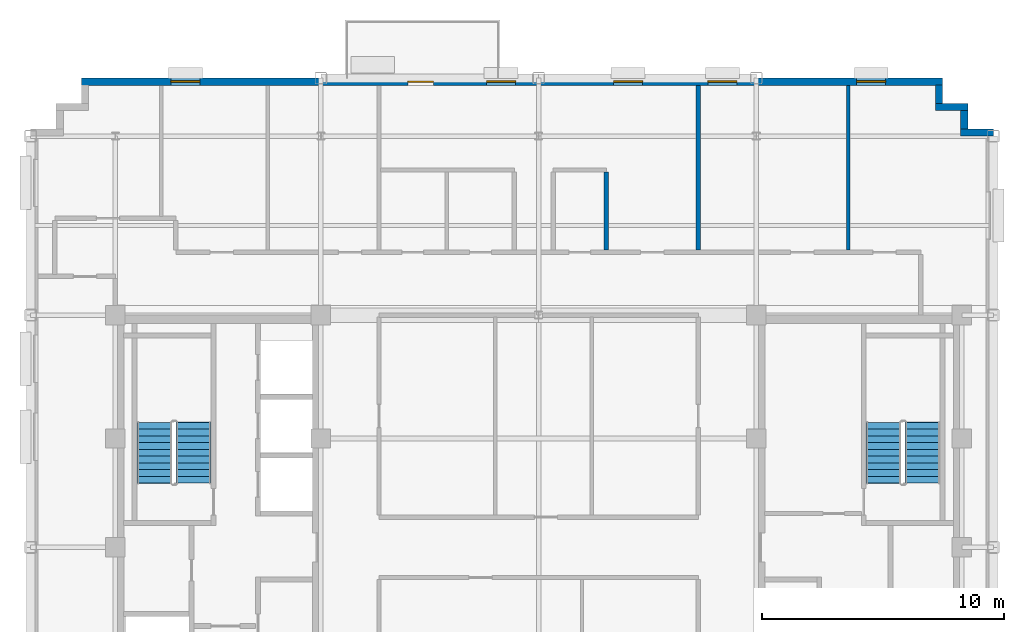
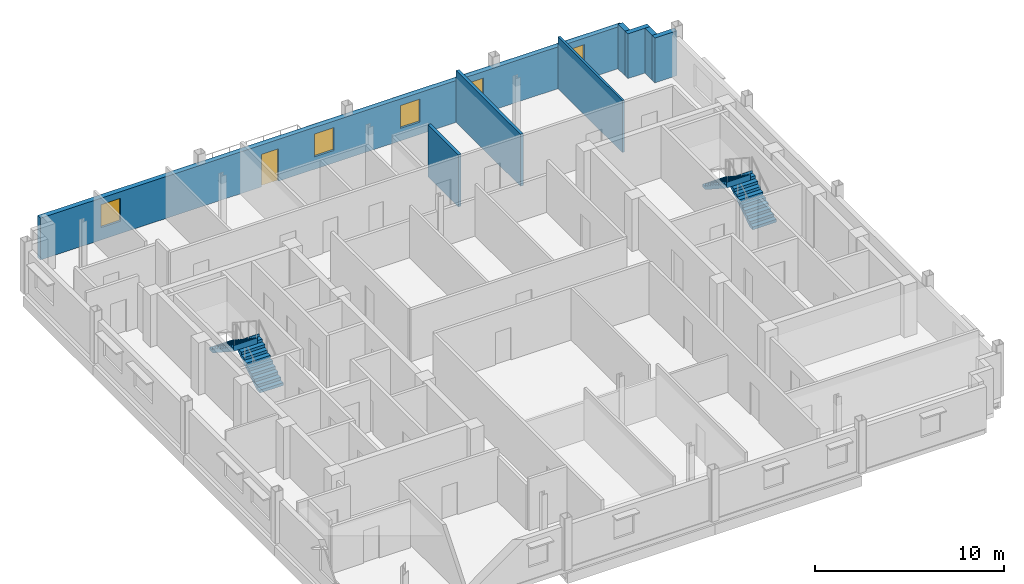
# One storey, part 9 of 14: 8 walls, 5 windows, 4 stair flights, 1 door, 6 openings, 2 elements without a shape of their own.
"""IFC4 building model written with IfcOpenShell, lengths in metres."""

from ifc_helpers import new_model, si_unit, direction, frame, frame_2d, origin, place, context, subcontext, project, spatial, polyline, rectangle, outline, extrude, source, transform, mapped, material, layer, layer_set, type_object, type_shapes, element, fill, aggregate, save


model = new_model("IFC4")

# Units and contexts
model_context = context("Model", 3, precision=1e-05, world=origin(), true_north=direction((0.0, 1.0)))
body_context = subcontext(model_context, "Body", "Model", "MODEL_VIEW")
ifc_project = project(units=[si_unit("LENGTHUNIT", "METRE"), si_unit("AREAUNIT", "SQUARE_METRE"), si_unit("VOLUMEUNIT", "CUBIC_METRE"), si_unit("PLANEANGLEUNIT", "RADIAN"), si_unit("MASSUNIT", "GRAM", prefix="KILO")], contexts=[model_context])

# Site, building, storey
site_placement = place(None, origin())
site = spatial("IfcSite", under=ifc_project, at=site_placement, CompositionType="ELEMENT")
building_placement = place(site_placement, origin())
building = spatial("IfcBuilding", under=site, at=building_placement, Name="Nuvemarco Arch Tower", CompositionType="ELEMENT")
storey_placement = place(building_placement, frame((0.0, 0.0, 268.89990234375)))
storey = spatial("IfcBuildingStorey", under=building, at=storey_placement, Name="L71", CompositionType="ELEMENT", Elevation=268.89990234375)

# Walls
ifc_material_1 = material(Name="Precast concrete C45/55", Category="concrete")
ifc_layer_1 = layer(ifc_material_1, 0.300048828125, Name="EW-HIGH-300")
ifc_layer_set_1 = layer_set([ifc_layer_1], Name="Precast concrete C45/55")
wall_type_1 = type_object("IfcWallType", Name="EW-HIGH-300", PredefinedType="STANDARD", material=ifc_layer_set_1)
wall_1_placement = place(storey_placement, frame((17.449951171875, 17.14990234375, 0.0), z_axis=(0.0, 0.0, 1.0), x_axis=(1.0, 0.0, 0.0)))
element("IfcWall", 1, at=wall_1_placement, inside=storey, type_object=wall_type_1, Name="L71 exterior precast facade wall 7", PredefinedType="STANDARD", context=body_context, shape_type="SweptSolid", body=[
    extrude(rectangle(XDim=1.35009765625, YDim=0.300048828125, at=frame_2d((0.675048828125, 0.0))), origin(), (0.0, 0.0, 1.0), 2.89208984375),
])
wall_2_placement = place(storey_placement, frame((17.60009765625, 17.2958984375, 0.0), z_axis=(0.0, 0.0, 1.0), x_axis=(0.0, 1.0, 0.0)))
element("IfcWall", 2, at=wall_2_placement, inside=storey, type_object=wall_type_1, Name="L71 exterior precast facade wall 8", PredefinedType="STANDARD", context=body_context, shape_type="SweptSolid", body=[
    extrude(rectangle(XDim=0.758056640625, YDim=0.300048828125, at=frame_2d((0.37890625, 0.0))), origin(), (0.0, 0.0, 1.0), 2.89208984375),
])
wall_3_placement = place(storey_placement, frame((16.39990234375, 18.199951171875, 0.0), z_axis=(0.0, 0.0, 1.0), x_axis=(1.0, 0.0, 0.0)))
element("IfcWall", 3, at=wall_3_placement, inside=storey, type_object=wall_type_1, Name="L71 exterior precast facade wall 9", PredefinedType="STANDARD", context=body_context, shape_type="SweptSolid", body=[
    extrude(rectangle(XDim=1.35009765625, YDim=0.300048828125, at=frame_2d((0.675048828125, 0.0))), origin(), (0.0, 0.0, 1.0), 2.89208984375),
])
wall_4_placement = place(storey_placement, frame((16.550048828125, 18.345947265625, 0.0), z_axis=(0.0, 0.0, 1.0), x_axis=(0.0, 1.0, 0.0)))
element("IfcWall", 4, at=wall_4_placement, inside=storey, type_object=wall_type_1, Name="L71 exterior precast facade wall 10", PredefinedType="STANDARD", context=body_context, shape_type="SweptSolid", body=[
    extrude(rectangle(XDim=0.758056640625, YDim=0.300048828125, at=frame_2d((0.37890625, 0.0))), origin(), (0.0, 0.0, 1.0), 2.89208984375),
])

# Wall, openings, door, windows
wall_5_placement = place(storey_placement, frame((-18.89990234375, 19.25, 0.0), z_axis=(0.0, 0.0, 1.0), x_axis=(1.0, 0.0, 0.0)))
wall_5 = element("IfcWall", 5, at=wall_5_placement, inside=storey, type_object=wall_type_1, Name="L71 exterior precast facade wall 11", PredefinedType="STANDARD", context=body_context, shape_type="SweptSolid", body=[
    extrude(rectangle(XDim=35.599853515625, YDim=0.300048828125, at=frame_2d((17.7998046875, 0.0))), origin(), (0.0, 0.0, 1.0), 2.705078125),
])
opening_1_placement = place(wall_5_placement, frame((13.5, 0.0, 0.0)))
opening_1 = element("IfcOpeningElement", 6, at=opening_1_placement, cuts=wall_5, Name="Opening ED-5", PredefinedType="OPENING", context=body_context, shape_type="SweptSolid", body=[
    extrude(rectangle(XDim=1.050048828125, YDim=2.10009765625, at=frame_2d((0.52490234375, 1.050048828125))), frame((0.0, 0.159912109375, 0.0), z_axis=(0.0, -1.0, 0.0), x_axis=(1.0, 0.0, 0.0)), (0.0, 0.0, 1.0), 0.320068359375),
])
opening_2_placement = place(wall_5_placement, frame((3.699951171875, 0.0, 0.800048828125)))
opening_2 = element("IfcOpeningElement", 7, at=opening_2_placement, cuts=wall_5, Name="Opening WN-8", PredefinedType="OPENING", context=body_context, shape_type="SweptSolid", body=[
    extrude(rectangle(XDim=1.199951171875, YDim=1.47998046875, at=frame_2d((0.60009765625, 0.739990234375))), frame((0.0, 0.159912109375, 0.0), z_axis=(0.0, -1.0, 0.0), x_axis=(1.0, 0.0, 0.0)), (0.0, 0.0, 1.0), 0.320068359375),
])
opening_3_placement = place(wall_5_placement, frame((16.75, 0.0, 0.800048828125)))
opening_3 = element("IfcOpeningElement", 8, at=opening_3_placement, cuts=wall_5, Name="Opening WN-8", PredefinedType="OPENING", context=body_context, shape_type="SweptSolid", body=[
    extrude(rectangle(XDim=1.199951171875, YDim=1.47998046875, at=frame_2d((0.60009765625, 0.739990234375))), frame((0.0, 0.159912109375, 0.0), z_axis=(0.0, -1.0, 0.0), x_axis=(1.0, 0.0, 0.0)), (0.0, 0.0, 1.0), 0.320068359375),
])
opening_4_placement = place(wall_5_placement, frame((22.0, 0.0, 0.800048828125)))
opening_4 = element("IfcOpeningElement", 9, at=opening_4_placement, cuts=wall_5, Name="Opening WN-8", PredefinedType="OPENING", context=body_context, shape_type="SweptSolid", body=[
    extrude(rectangle(XDim=1.199951171875, YDim=1.47998046875, at=frame_2d((0.60009765625, 0.739990234375))), frame((0.0, 0.159912109375, 0.0), z_axis=(0.0, -1.0, 0.0), x_axis=(1.0, 0.0, 0.0)), (0.0, 0.0, 1.0), 0.320068359375),
])
opening_5_placement = place(wall_5_placement, frame((25.89990234375, 0.0, 0.800048828125)))
opening_5 = element("IfcOpeningElement", 10, at=opening_5_placement, cuts=wall_5, Name="Opening WN-8", PredefinedType="OPENING", context=body_context, shape_type="SweptSolid", body=[
    extrude(rectangle(XDim=1.199951171875, YDim=1.47998046875, at=frame_2d((0.60009765625, 0.739990234375))), frame((0.0, 0.159912109375, 0.0), z_axis=(0.0, -1.0, 0.0), x_axis=(1.0, 0.0, 0.0)), (0.0, 0.0, 1.0), 0.320068359375),
])
opening_6_placement = place(wall_5_placement, frame((32.050048828125, 0.0, 0.800048828125)))
opening_6 = element("IfcOpeningElement", 11, at=opening_6_placement, cuts=wall_5, Name="Opening WN-8", PredefinedType="OPENING", context=body_context, shape_type="SweptSolid", body=[
    extrude(rectangle(XDim=1.199951171875, YDim=1.47998046875, at=frame_2d((0.60009765625, 0.739990234375))), frame((0.0, 0.159912109375, 0.0), z_axis=(0.0, -1.0, 0.0), x_axis=(1.0, 0.0, 0.0)), (0.0, 0.0, 1.0), 0.320068359375),
])
ifc_material_2 = material(Name="Anodised bronze and laminated glass", Category="glass")
door_type = type_object("IfcDoorType", Name="DR-EXT-TERR", OperationType="NOTDEFINED", PredefinedType="DOOR", material=ifc_material_2)
shared_shape_1 = source(origin(), body_context, "Body", "SweptSolid", [
    extrude(rectangle(XDim=1.050048828125, YDim=2.10009765625, at=frame_2d((0.52490234375, 1.050048828125))), frame((0.0, 0.02490234375, 0.0), z_axis=(0.0, -1.0, 0.0), x_axis=(1.0, 0.0, 0.0)), (0.0, 0.0, 1.0), 0.050048828125),
])
type_shapes(door_type, [shared_shape_1])
door_placement = place(opening_1_placement, origin())
door = element("IfcDoor", 12, at=door_placement, inside=storey, type_object=door_type, Name="L71 spiral terrace access door", OperationType="SINGLE_SWING_LEFT", OverallHeight=2.10009765625, OverallWidth=1.050048828125, PredefinedType="DOOR", context=body_context, shape_type="MappedRepresentation", body=[
    mapped(shared_shape_1, transform((0.0, 0.0, 0.0), scale=1.0)),
])
fill(opening_1, door)
ifc_material_3 = material(Name="Insulated solar-control glass", Category="glass")
window_type = type_object("IfcWindowType", Name="WN-HIGH-1200x1480", PartitioningType="SINGLE_PANEL", PredefinedType="WINDOW", material=ifc_material_3)
shared_shape_2 = source(origin(), body_context, "Body", "SweptSolid", [
    extrude(rectangle(XDim=1.199951171875, YDim=1.47998046875, at=frame_2d((0.60009765625, 0.739990234375))), frame((0.0, 0.030029296875, 0.0), z_axis=(0.0, -1.0, 0.0), x_axis=(1.0, 0.0, 0.0)), (0.0, 0.0, 1.0), 0.06005859375),
])
type_shapes(window_type, [shared_shape_2])
window_1_placement = place(opening_2_placement, origin())
window_1 = element("IfcWindow", 13, at=window_1_placement, inside=storey, type_object=window_type, Name="L71 punched facade window 1", OverallHeight=1.47998046875, OverallWidth=1.199951171875, PartitioningType="SINGLE_PANEL", PredefinedType="WINDOW", context=body_context, shape_type="MappedRepresentation", body=[
    mapped(shared_shape_2, transform((0.0, 0.0, 0.0), scale=1.0)),
])
fill(opening_2, window_1)
window_2_placement = place(opening_3_placement, origin())
window_2 = element("IfcWindow", 14, at=window_2_placement, inside=storey, type_object=window_type, Name="L71 punched facade window 4", OverallHeight=1.47998046875, OverallWidth=1.199951171875, PartitioningType="SINGLE_PANEL", PredefinedType="WINDOW", context=body_context, shape_type="MappedRepresentation", body=[
    mapped(shared_shape_2, transform((0.0, 0.0, 0.0), scale=1.0)),
])
fill(opening_3, window_2)
window_3_placement = place(opening_4_placement, origin())
window_3 = element("IfcWindow", 15, at=window_3_placement, inside=storey, type_object=window_type, Name="L71 punched facade window 5", OverallHeight=1.47998046875, OverallWidth=1.199951171875, PartitioningType="SINGLE_PANEL", PredefinedType="WINDOW", context=body_context, shape_type="MappedRepresentation", body=[
    mapped(shared_shape_2, transform((0.0, 0.0, 0.0), scale=1.0)),
])
fill(opening_4, window_3)
window_4_placement = place(opening_5_placement, origin())
window_4 = element("IfcWindow", 16, at=window_4_placement, inside=storey, type_object=window_type, Name="L71 punched facade window 6", OverallHeight=1.47998046875, OverallWidth=1.199951171875, PartitioningType="SINGLE_PANEL", PredefinedType="WINDOW", context=body_context, shape_type="MappedRepresentation", body=[
    mapped(shared_shape_2, transform((0.0, 0.0, 0.0), scale=1.0)),
])
fill(opening_5, window_4)
window_5_placement = place(opening_6_placement, origin())
window_5 = element("IfcWindow", 17, at=window_5_placement, inside=storey, type_object=window_type, Name="L71 punched facade window 7", OverallHeight=1.47998046875, OverallWidth=1.199951171875, PartitioningType="SINGLE_PANEL", PredefinedType="WINDOW", context=body_context, shape_type="MappedRepresentation", body=[
    mapped(shared_shape_2, transform((0.0, 0.0, 0.0), scale=1.0)),
])
fill(opening_6, window_5)

# Walls
ifc_material_4 = material(Name="Fire-rated gypsum drywall partition")
ifc_layer_2 = layer(ifc_material_4, 0.179931640625, Name="WL-CORR-180")
ifc_layer_set_2 = layer_set([ifc_layer_2], Name="Fire-rated gypsum drywall partition")
wall_type_2 = type_object("IfcWallType", Name="WL-CORR-180", PredefinedType="PARTITIONING", material=ifc_layer_set_2)
wall_6_placement = place(storey_placement, frame((2.800048828125, 12.285888671875, 0.0), z_axis=(0.0, 0.0, 1.0), x_axis=(0.0, 1.0, 0.0)))
element("IfcWall", 18, at=wall_6_placement, inside=storey, type_object=wall_type_2, Name="L71 interior wall IW-L71-038", PredefinedType="PARTITIONING", context=body_context, shape_type="SweptSolid", body=[
    extrude(rectangle(XDim=3.22802734375, YDim=0.179931640625, at=frame_2d((1.614013671875, 0.0))), origin(), (0.0, 0.0, 1.0), 3.360107421875),
])
wall_7_placement = place(storey_placement, frame((6.60009765625, 12.285888671875, 0.0), z_axis=(0.0, 0.0, 1.0), x_axis=(0.0, 1.0, 0.0)))
element("IfcWall", 19, at=wall_7_placement, inside=storey, type_object=wall_type_2, Name="L71 interior wall IW-L71-041", PredefinedType="PARTITIONING", context=body_context, shape_type="SweptSolid", body=[
    extrude(rectangle(XDim=6.814208984375, YDim=0.179931640625, at=frame_2d((3.4072265625, 0.0))), origin(), (0.0, 0.0, 1.0), 3.360107421875),
])
ifc_material_5 = material(Name="Glazed acoustic office partition")
ifc_layer_3 = layer(ifc_material_5, 0.1298828125, Name="WL-EXEC-130")
ifc_layer_set_3 = layer_set([ifc_layer_3], Name="Glazed acoustic office partition")
wall_type_3 = type_object("IfcWallType", Name="WL-EXEC-130", PredefinedType="PARTITIONING", material=ifc_layer_set_3)
wall_8_placement = place(storey_placement, frame((12.800048828125, 12.285888671875, 0.0), z_axis=(0.0, 0.0, 1.0), x_axis=(0.0, 1.0, 0.0)))
element("IfcWall", 20, at=wall_8_placement, inside=storey, type_object=wall_type_3, Name="L71 interior wall IW-L71-043", PredefinedType="PARTITIONING", context=body_context, shape_type="SweptSolid", body=[
    extrude(rectangle(XDim=6.814208984375, YDim=0.1298828125, at=frame_2d((3.4072265625, 0.0))), origin(), (0.0, 0.0, 1.0), 3.360107421875),
])

# Stair, stair flights
stair_type = type_object("IfcStairType", Name="ST-CORE-20R", PredefinedType="HALF_TURN_STAIR", material=ifc_material_1)
stair_1_placement = place(storey_placement, origin())
stair_1 = element("IfcStair", 21, at=stair_1_placement, inside=storey, type_object=stair_type, Name="L71 Protected Exit Stair ST-1", PredefinedType="HALF_TURN_STAIR")
stair_flight_type = type_object("IfcStairFlightType", Name="SF-CORE-20R", PredefinedType="STRAIGHT", material=ifc_material_1)
stair_flight_1_placement = place(storey_placement, frame((-14.264892578125, 2.64990234375, 0.0), z_axis=(0.0, 0.0, 1.0), x_axis=(0.0, 1.0, 0.0)))
stair_flight_1 = element("IfcStairFlight", 22, at=stair_flight_1_placement, type_object=stair_flight_type, Name="ST-20R flight 1", NumberOfRisers=10, NumberOfTreads=9, PredefinedType="STRAIGHT", RiserHeight=0.1825, TreadLength=0.28, context=body_context, shape_type="SweptSolid", body=[
    extrude(outline(polyline([(0.0, 0.0), (0.0, 0.1826171875), (0.280029296875, 0.1826171875), (0.280029296875, 0.364990234375), (0.56005859375, 0.364990234375), (0.56005859375, 0.547607421875), (0.840087890625, 0.547607421875), (0.840087890625, 0.72998046875), (1.1201171875, 0.72998046875), (1.1201171875, 0.91259765625), (1.39990234375, 0.91259765625), (1.39990234375, 1.094970703125), (1.679931640625, 1.094970703125), (1.679931640625, 1.277587890625), (1.9599609375, 1.277587890625), (1.9599609375, 1.4599609375), (2.239990234375, 1.4599609375), (2.239990234375, 1.642578125), (2.52001953125, 1.642578125), (2.52001953125, 1.824951171875), (2.5400390625, 1.824951171875), (2.5400390625, 1.45166015625), (0.312744140625, 0.0), (0.0, 0.0)])), frame((0.0, 0.72509765625, 0.0), z_axis=(0.0, -1.0, 0.0), x_axis=(1.0, 0.0, 0.0)), (0.0, 0.0, 1.0), 1.449951171875),
])
stair_flight_2_placement = place(storey_placement, frame((-15.875, 5.169921875, 1.8251953125), z_axis=(0.0, 0.0, 1.0), x_axis=(0.0, -1.0, 0.0)))
stair_flight_2 = element("IfcStairFlight", 23, at=stair_flight_2_placement, type_object=stair_flight_type, Name="ST-20R flight 2", NumberOfRisers=10, NumberOfTreads=9, PredefinedType="STRAIGHT", RiserHeight=0.1825, TreadLength=0.28, context=body_context, shape_type="SweptSolid", body=[
    extrude(outline(polyline([(0.0, 0.0), (0.0, 0.1826171875), (0.280029296875, 0.1826171875), (0.280029296875, 0.364990234375), (0.56005859375, 0.364990234375), (0.56005859375, 0.547607421875), (0.840087890625, 0.547607421875), (0.840087890625, 0.72998046875), (1.1201171875, 0.72998046875), (1.1201171875, 0.91259765625), (1.39990234375, 0.91259765625), (1.39990234375, 1.094970703125), (1.679931640625, 1.094970703125), (1.679931640625, 1.277587890625), (1.9599609375, 1.277587890625), (1.9599609375, 1.4599609375), (2.239990234375, 1.4599609375), (2.239990234375, 1.642578125), (2.52001953125, 1.642578125), (2.52001953125, 1.824951171875), (2.5400390625, 1.824951171875), (2.5400390625, 1.45166015625), (0.312744140625, 0.0), (0.0, 0.0)])), frame((0.0, 0.72509765625, 0.0), z_axis=(0.0, -1.0, 0.0), x_axis=(1.0, 0.0, 0.0)), (0.0, 0.0, 1.0), 1.449951171875),
])
aggregate(stair_1, [stair_flight_1, stair_flight_2])

stair_2_placement = place(storey_placement, origin())
stair_2 = element("IfcStair", 24, at=stair_2_placement, inside=storey, type_object=stair_type, Name="L71 Protected Exit Stair ST-2", PredefinedType="HALF_TURN_STAIR")
stair_flight_3_placement = place(storey_placement, frame((15.875, 2.64990234375, 0.0), z_axis=(0.0, 0.0, 1.0), x_axis=(0.0, 1.0, 0.0)))
stair_flight_3 = element("IfcStairFlight", 25, at=stair_flight_3_placement, type_object=stair_flight_type, Name="ST-20R flight 1", NumberOfRisers=10, NumberOfTreads=9, PredefinedType="STRAIGHT", RiserHeight=0.1825, TreadLength=0.28, context=body_context, shape_type="SweptSolid", body=[
    extrude(outline(polyline([(0.0, 0.0), (0.0, 0.1826171875), (0.280029296875, 0.1826171875), (0.280029296875, 0.364990234375), (0.56005859375, 0.364990234375), (0.56005859375, 0.547607421875), (0.840087890625, 0.547607421875), (0.840087890625, 0.72998046875), (1.1201171875, 0.72998046875), (1.1201171875, 0.91259765625), (1.39990234375, 0.91259765625), (1.39990234375, 1.094970703125), (1.679931640625, 1.094970703125), (1.679931640625, 1.277587890625), (1.9599609375, 1.277587890625), (1.9599609375, 1.4599609375), (2.239990234375, 1.4599609375), (2.239990234375, 1.642578125), (2.52001953125, 1.642578125), (2.52001953125, 1.824951171875), (2.5400390625, 1.824951171875), (2.5400390625, 1.45166015625), (0.312744140625, 0.0), (0.0, 0.0)])), frame((0.0, 0.72509765625, 0.0), z_axis=(0.0, -1.0, 0.0), x_axis=(1.0, 0.0, 0.0)), (0.0, 0.0, 1.0), 1.449951171875),
])
stair_flight_4_placement = place(storey_placement, frame((14.264892578125, 5.169921875, 1.8251953125), z_axis=(0.0, 0.0, 1.0), x_axis=(0.0, -1.0, 0.0)))
stair_flight_4 = element("IfcStairFlight", 26, at=stair_flight_4_placement, type_object=stair_flight_type, Name="ST-20R flight 2", NumberOfRisers=10, NumberOfTreads=9, PredefinedType="STRAIGHT", RiserHeight=0.1825, TreadLength=0.28, context=body_context, shape_type="SweptSolid", body=[
    extrude(outline(polyline([(0.0, 0.0), (0.0, 0.1826171875), (0.280029296875, 0.1826171875), (0.280029296875, 0.364990234375), (0.56005859375, 0.364990234375), (0.56005859375, 0.547607421875), (0.840087890625, 0.547607421875), (0.840087890625, 0.72998046875), (1.1201171875, 0.72998046875), (1.1201171875, 0.91259765625), (1.39990234375, 0.91259765625), (1.39990234375, 1.094970703125), (1.679931640625, 1.094970703125), (1.679931640625, 1.277587890625), (1.9599609375, 1.277587890625), (1.9599609375, 1.4599609375), (2.239990234375, 1.4599609375), (2.239990234375, 1.642578125), (2.52001953125, 1.642578125), (2.52001953125, 1.824951171875), (2.5400390625, 1.824951171875), (2.5400390625, 1.45166015625), (0.312744140625, 0.0), (0.0, 0.0)])), frame((0.0, 0.72509765625, 0.0), z_axis=(0.0, -1.0, 0.0), x_axis=(1.0, 0.0, 0.0)), (0.0, 0.0, 1.0), 1.449951171875),
])
aggregate(stair_2, [stair_flight_3, stair_flight_4])

save(model, "model.ifc")
